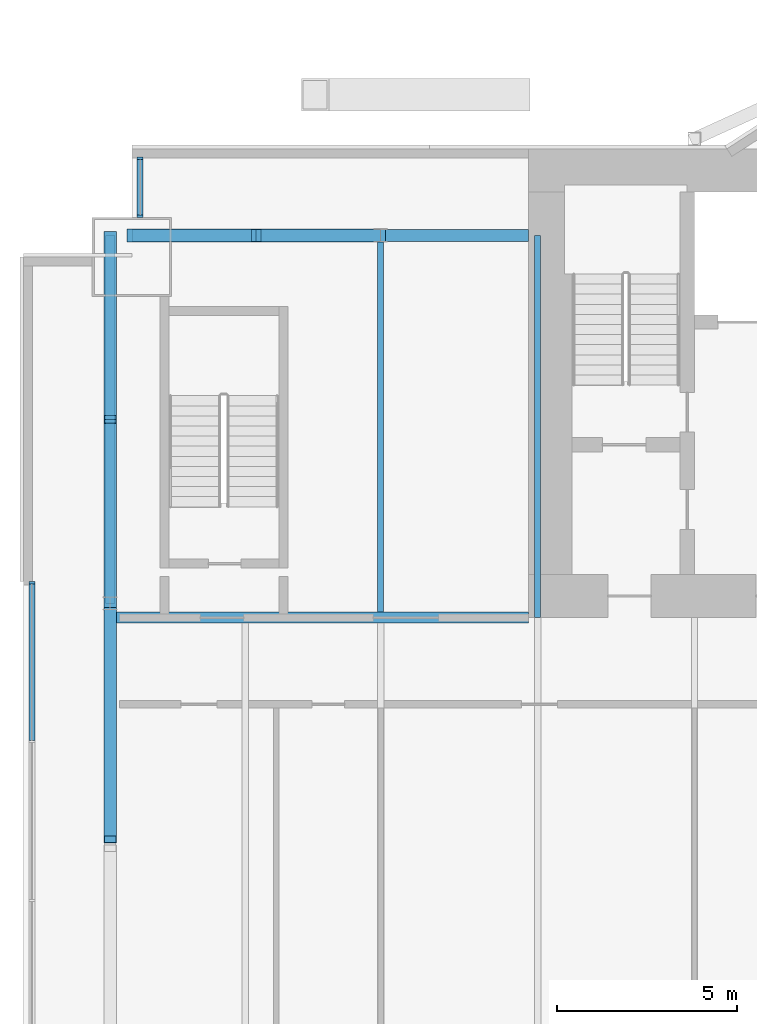
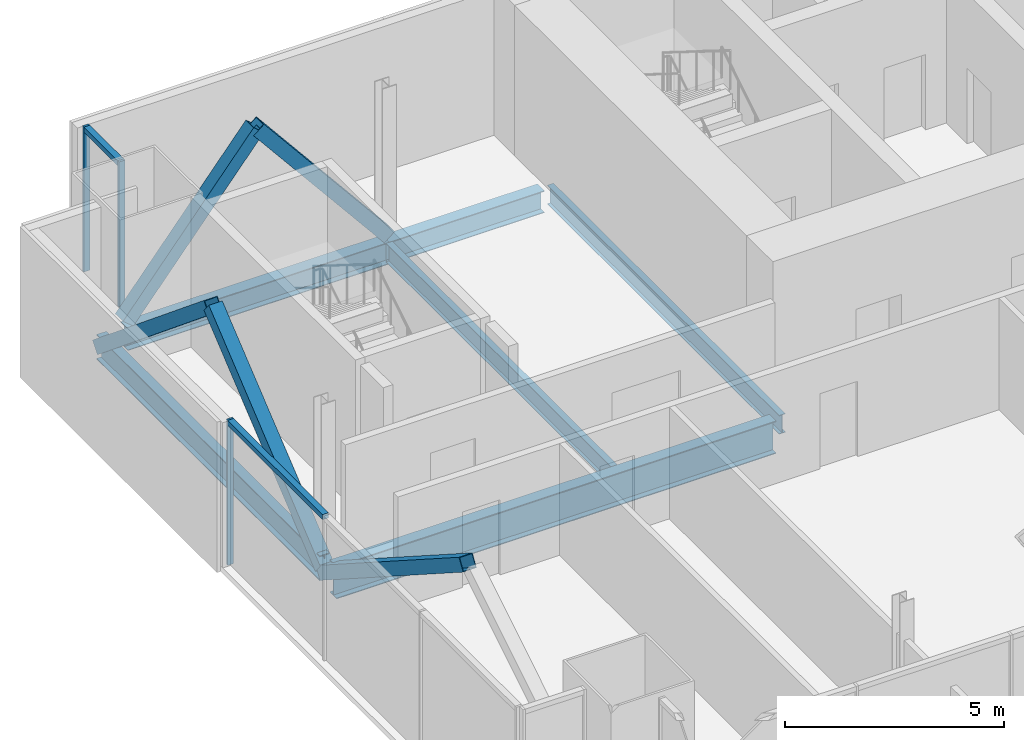
# One storey, part 7 of 19: 10 members, 6 beams, 2 elements without a shape of their own.
"""IFC4 building model written with IfcOpenShell, lengths in metres."""

from ifc_helpers import new_model, si_unit, direction, frame, origin, origin_2d, place, context, subcontext, project, spatial, rectangle, hollow_rectangle, i_section, extrude, material, material_profile, profile_set, type_object, element, aggregate, save


model = new_model("IFC4")

# Units and contexts
model_context = context("Model", 3, precision=1e-05, world=origin(), true_north=direction((0.0, 1.0)))
body_context = subcontext(model_context, "Body", "Model", "MODEL_VIEW")
ifc_project = project(units=[si_unit("LENGTHUNIT", "METRE"), si_unit("AREAUNIT", "SQUARE_METRE"), si_unit("VOLUMEUNIT", "CUBIC_METRE"), si_unit("PLANEANGLEUNIT", "RADIAN"), si_unit("MASSUNIT", "GRAM", prefix="KILO")], contexts=[model_context])

# Site, building, storey
site_placement = place(None, origin())
site = spatial("IfcSite", under=ifc_project, at=site_placement, CompositionType="ELEMENT")
building_placement = place(site_placement, origin())
building = spatial("IfcBuilding", under=site, at=building_placement, Name="Bicima Exchange Tower", CompositionType="ELEMENT")
storey_placement = place(building_placement, frame((0.0, 0.0, 270.800048828125)))
storey = spatial("IfcBuildingStorey", under=building, at=storey_placement, Name="L61", CompositionType="ELEMENT", Elevation=270.800048828125)

# Beam
ifc_material_1 = material(Name="Steel ASTM A992 Gr 50", Category="steel")
ifc_material_profile_1 = material_profile(ifc_material_1, i_section(OverallWidth=0.3046875, OverallDepth=0.911865234375, WebThickness=0.015869140625, FlangeThickness=0.02392578125, at=origin_2d()))
ifc_profile_set_1 = profile_set([ifc_material_profile_1], Name="Steel ASTM A992 Gr 50")
beam_type_1 = type_object("IfcBeamType", Name="Core-line girder W36x150", PredefinedType="BEAM", material=ifc_profile_set_1)
beam_1_placement = place(storey_placement, frame((-22.0, -13.0, -0.60595703125), z_axis=(-1.0, 0.0, 0.0), x_axis=(0.0, -1.0, 0.0)))
element("IfcBeam", 1, at=beam_1_placement, inside=storey, type_object=beam_type_1, Name="Core-line girder", PredefinedType="BEAM", context=body_context, shape_type="SweptSolid", body=[
    extrude(i_section(OverallWidth=0.3046875, OverallDepth=0.911865234375, WebThickness=0.015869140625, FlangeThickness=0.02392578125, at=origin_2d()), origin(), (0.0, 0.0, 1.0), 11.60009765625),
])

# Curtain wall, members
ifc_material_2 = material(Name="Anodised bronze aluminium", Category="aluminium")
curtain_wall_type_1 = type_object("IfcCurtainWallType", Name="End face glass wall", PredefinedType="NOTDEFINED", material=ifc_material_2)
curtain_wall_1_placement = place(storey_placement, origin())
curtain_wall_1 = element("IfcCurtainWall", 2, at=curtain_wall_1_placement, inside=storey, type_object=curtain_wall_type_1, Name="End face glass wall L61 run 2", PredefinedType="NOTDEFINED")
ifc_material_profile_2 = material_profile(ifc_material_2, rectangle(XDim=0.159912109375, YDim=0.06005859375, at=origin_2d()))
ifc_profile_set_2 = profile_set([ifc_material_profile_2], Name="Anodised bronze aluminium")
member_type_1 = type_object("IfcMemberType", Name="End face glass wall mullion 60 x 160", PredefinedType="MULLION", material=ifc_profile_set_2)
member_1_placement = place(storey_placement, frame((-35.77001953125, -12.030029296875, 0.0), z_axis=(0.0, 0.0, 1.0), x_axis=(1.0, 0.0, 0.0)))
member_1 = element("IfcMember", 3, at=member_1_placement, type_object=member_type_1, Name="End face glass wall mullion 1", PredefinedType="MULLION", context=body_context, shape_type="SweptSolid", body=[
    extrude(rectangle(XDim=0.159912109375, YDim=0.06005859375, at=origin_2d()), origin(), (0.0, 0.0, 1.0), 4.050048828125),
])
ifc_material_profile_3 = material_profile(ifc_material_2, rectangle(XDim=0.159912109375, YDim=0.139892578125, at=origin_2d()))
ifc_profile_set_3 = profile_set([ifc_material_profile_3], Name="Anodised bronze aluminium")
member_type_2 = type_object("IfcMemberType", Name="End face glass wall transom 140 x 160", PredefinedType="USERDEFINED", material=ifc_profile_set_3)
member_2_placement = place(storey_placement, frame((-35.77001953125, -12.06005859375, 3.97998046875), z_axis=(0.0, -1.0, 0.0), x_axis=(1.0, 0.0, 0.0)))
member_2 = element("IfcMember", 4, at=member_2_placement, type_object=member_type_2, Name="End face glass wall transom 1.1", ObjectType="TRANSOM", PredefinedType="USERDEFINED", context=body_context, shape_type="SweptSolid", body=[
    extrude(rectangle(XDim=0.159912109375, YDim=0.139892578125, at=origin_2d()), origin(), (0.0, 0.0, 1.0), 4.34326171875),
])
aggregate(curtain_wall_1, [member_1, member_2])

# Beams
ifc_material_profile_4 = material_profile(ifc_material_1, i_section(OverallWidth=0.256591796875, OverallDepth=0.693359375, WebThickness=0.014404296875, FlangeThickness=0.023681640625, at=origin_2d()))
ifc_profile_set_4 = profile_set([ifc_material_profile_4], Name="Steel ASTM A992 Gr 50")
beam_type_2 = type_object("IfcBeamType", Name="End girder W27x114", PredefinedType="BEAM", material=ifc_profile_set_4)
beam_2_placement = place(storey_placement, frame((-33.60009765625, -2.39990234375, -0.496826171875), z_axis=(0.0, -1.0, 0.0), x_axis=(1.0, 0.0, 0.0)))
element("IfcBeam", 5, at=beam_2_placement, inside=storey, type_object=beam_type_2, Name="End girder", PredefinedType="BEAM", context=body_context, shape_type="SweptSolid", body=[
    extrude(i_section(OverallWidth=0.256591796875, OverallDepth=0.693359375, WebThickness=0.014404296875, FlangeThickness=0.023681640625, at=origin_2d()), origin(), (0.0, 0.0, 1.0), 10.2001953125),
])
ifc_material_profile_5 = material_profile(ifc_material_1, i_section(OverallWidth=0.165771484375, OverallDepth=0.5283203125, WebThickness=0.009765625, FlangeThickness=0.013671875, at=origin_2d()))
ifc_profile_set_5 = profile_set([ifc_material_profile_5], Name="Steel ASTM A992 Gr 50")
beam_type_3 = type_object("IfcBeamType", Name="Floor beam W21x50", PredefinedType="JOIST", material=ifc_profile_set_5)
beam_3_placement = place(storey_placement, frame((-26.10009765625, -2.5625, -0.414306640625), z_axis=(0.0, -1.0, 0.0), x_axis=(1.0, 0.0, 0.0)))
element("IfcBeam", 6, at=beam_3_placement, inside=storey, type_object=beam_type_3, Name="Floor beam", PredefinedType="JOIST", context=body_context, shape_type="SweptSolid", body=[
    extrude(i_section(OverallWidth=0.165771484375, OverallDepth=0.5283203125, WebThickness=0.009765625, FlangeThickness=0.013671875, at=origin_2d()), origin(), (0.0, 0.0, 1.0), 10.28515625),
])
beam_4_placement = place(storey_placement, frame((-21.75, -2.39990234375, -0.414306640625), z_axis=(0.0, -1.0, 0.0), x_axis=(1.0, 0.0, 0.0)))
element("IfcBeam", 7, at=beam_4_placement, inside=storey, type_object=beam_type_3, Name="Floor beam", PredefinedType="JOIST", context=body_context, shape_type="SweptSolid", body=[
    extrude(i_section(OverallWidth=0.165771484375, OverallDepth=0.5283203125, WebThickness=0.009765625, FlangeThickness=0.013671875, at=origin_2d()), origin(), (0.0, 0.0, 1.0), 10.60009765625),
])

# Curtain wall, members
curtain_wall_type_2 = type_object("IfcCurtainWallType", Name="Front glass wall", PredefinedType="NOTDEFINED", material=ifc_material_2)
curtain_wall_2_placement = place(storey_placement, origin())
curtain_wall_2 = element("IfcCurtainWall", 8, at=curtain_wall_2_placement, inside=storey, type_object=curtain_wall_type_2, Name="Front glass wall L61 run 1", PredefinedType="NOTDEFINED")
member_type_3 = type_object("IfcMemberType", Name="Front glass wall mullion 60 x 160", PredefinedType="MULLION", material=ifc_profile_set_2)
member_3_placement = place(storey_placement, frame((-32.77001953125, -0.260009765625, 0.0), z_axis=(0.0, 0.0, 1.0), x_axis=(1.0, 0.0, 0.0)))
member_3 = element("IfcMember", 9, at=member_3_placement, type_object=member_type_3, Name="Front glass wall mullion 1", PredefinedType="MULLION", context=body_context, shape_type="SweptSolid", body=[
    extrude(rectangle(XDim=0.159912109375, YDim=0.06005859375, at=origin_2d()), origin(), (0.0, 0.0, 1.0), 4.050048828125),
])
member_4_placement = place(storey_placement, frame((-32.77001953125, -1.8701171875, 0.0), z_axis=(0.0, 0.0, 1.0), x_axis=(1.0, 0.0, 0.0)))
member_4 = element("IfcMember", 10, at=member_4_placement, type_object=member_type_3, Name="Front glass wall mullion 2", PredefinedType="MULLION", context=body_context, shape_type="SweptSolid", body=[
    extrude(rectangle(XDim=0.159912109375, YDim=0.06005859375, at=origin_2d()), origin(), (0.0, 0.0, 1.0), 4.050048828125),
])
member_type_4 = type_object("IfcMemberType", Name="Front glass wall transom 140 x 160", PredefinedType="USERDEFINED", material=ifc_profile_set_3)
member_5_placement = place(storey_placement, frame((-32.77001953125, -0.2900390625, 3.97998046875), z_axis=(0.0, -1.0, 0.0), x_axis=(1.0, 0.0, 0.0)))
member_5 = element("IfcMember", 11, at=member_5_placement, type_object=member_type_4, Name="Front glass wall transom 1.1", ObjectType="TRANSOM", PredefinedType="USERDEFINED", context=body_context, shape_type="SweptSolid", body=[
    extrude(rectangle(XDim=0.159912109375, YDim=0.139892578125, at=origin_2d()), origin(), (0.0, 0.0, 1.0), 1.550048828125),
])
aggregate(curtain_wall_2, [member_3, member_4, member_5])

# Members
ifc_material_3 = material(Name="Steel ASTM A572 Gr 50", Category="steel")
ifc_material_profile_6 = material_profile(ifc_material_3, hollow_rectangle(XDim=0.355712890625, YDim=0.355712890625, WallThickness=0.0146484375, at=origin_2d()))
ifc_profile_set_6 = profile_set([ifc_material_profile_6], Name="Steel ASTM A572 Gr 50")
member_type_5 = type_object("IfcMemberType", Name="Mega brace HSS14x14x5/8", PredefinedType="BRACE", material=ifc_profile_set_6)
for number, where, z_axis, x_axis, name in (
    (12, (-33.0, -2.39990234375, 0.0), (0.63473846547, 0.0, 0.772727041362), (0.0, 1.0, 0.0), "Mega brace rear"),
    (13, (-26.10009765625, -2.39990234375, 0.0), (-0.63473846547, 0.0, 0.772727041362), (0.0, -1.0, 0.0), "Mega brace rear"),
):
    element("IfcMember", number, at=place(storey_placement, frame(where, z_axis=z_axis, x_axis=x_axis)), inside=storey, type_object=member_type_5, Name=name, PredefinedType="BRACE", context=body_context, shape_type="SweptSolid", body=[
        extrude(hollow_rectangle(XDim=0.355712890625, YDim=0.355712890625, WallThickness=0.0146484375, at=origin_2d()), origin(), (0.0, 0.0, 1.0), 5.435302734375),
    ])
for number, where, z_axis, x_axis, name in (
    (14, (-33.60009765625, -2.39990234375, -0.496826171875), (0.0, -0.771921702364, 0.635717614527), (1.0, 0.0, 0.0), "Mega brace west end"),
    (15, (-33.60009765625, -12.60009765625, -0.496826171875), (0.0, 0.771921702364, 0.635717614527), (-1.0, 0.0, 0.0), "Mega brace west end"),
):
    element("IfcMember", number, at=place(storey_placement, frame(where, z_axis=z_axis, x_axis=x_axis)), inside=storey, type_object=member_type_5, Name=name, PredefinedType="BRACE", context=body_context, shape_type="SweptSolid", body=[
        extrude(hollow_rectangle(XDim=0.355712890625, YDim=0.355712890625, WallThickness=0.0146484375, at=origin_2d()), origin(), (0.0, 0.0, 1.0), 6.60693359375),
    ])
member_6_placement = place(storey_placement, frame((-33.60009765625, -12.60009765625, -0.60595703125), z_axis=(0.0, -0.841653433979, 0.540018052542), x_axis=(1.0, 0.0, 0.0)))
element("IfcMember", 16, at=member_6_placement, inside=storey, type_object=member_type_5, Name="Mega brace west end", PredefinedType="BRACE", context=body_context, shape_type="SweptSolid", body=[
    extrude(hollow_rectangle(XDim=0.355712890625, YDim=0.355712890625, WallThickness=0.0146484375, at=origin_2d()), origin(), (0.0, 0.0, 1.0), 7.77734375),
])

# Beams
ifc_material_profile_7 = material_profile(ifc_material_1, i_section(OverallWidth=0.3251953125, OverallDepth=0.612060546875, WebThickness=0.0126953125, FlangeThickness=0.01904296875, at=origin_2d()))
ifc_profile_set_7 = profile_set([ifc_material_profile_7], Name="Steel ASTM A992 Gr 50")
beam_type_4 = type_object("IfcBeamType", Name="Rear girder W24x104", PredefinedType="BEAM", material=ifc_profile_set_7)
beam_5_placement = place(storey_placement, frame((-22.0, -2.39990234375, -0.4560546875), z_axis=(-1.0, 0.0, 0.0), x_axis=(0.0, -1.0, 0.0)))
element("IfcBeam", 17, at=beam_5_placement, inside=storey, type_object=beam_type_4, Name="Rear girder", PredefinedType="BEAM", context=body_context, shape_type="SweptSolid", body=[
    extrude(i_section(OverallWidth=0.3251953125, OverallDepth=0.612060546875, WebThickness=0.0126953125, FlangeThickness=0.01904296875, at=origin_2d()), origin(), (0.0, 0.0, 1.0), 4.10009765625),
])
beam_6_placement = place(storey_placement, frame((-26.10009765625, -2.39990234375, -0.4560546875), z_axis=(-1.0, 0.0, 0.0), x_axis=(0.0, -1.0, 0.0)))
element("IfcBeam", 18, at=beam_6_placement, inside=storey, type_object=beam_type_4, Name="Rear girder", PredefinedType="BEAM", context=body_context, shape_type="SweptSolid", body=[
    extrude(i_section(OverallWidth=0.3251953125, OverallDepth=0.612060546875, WebThickness=0.0126953125, FlangeThickness=0.01904296875, at=origin_2d()), origin(), (0.0, 0.0, 1.0), 6.89990234375),
])

save(model, "model.ifc")
